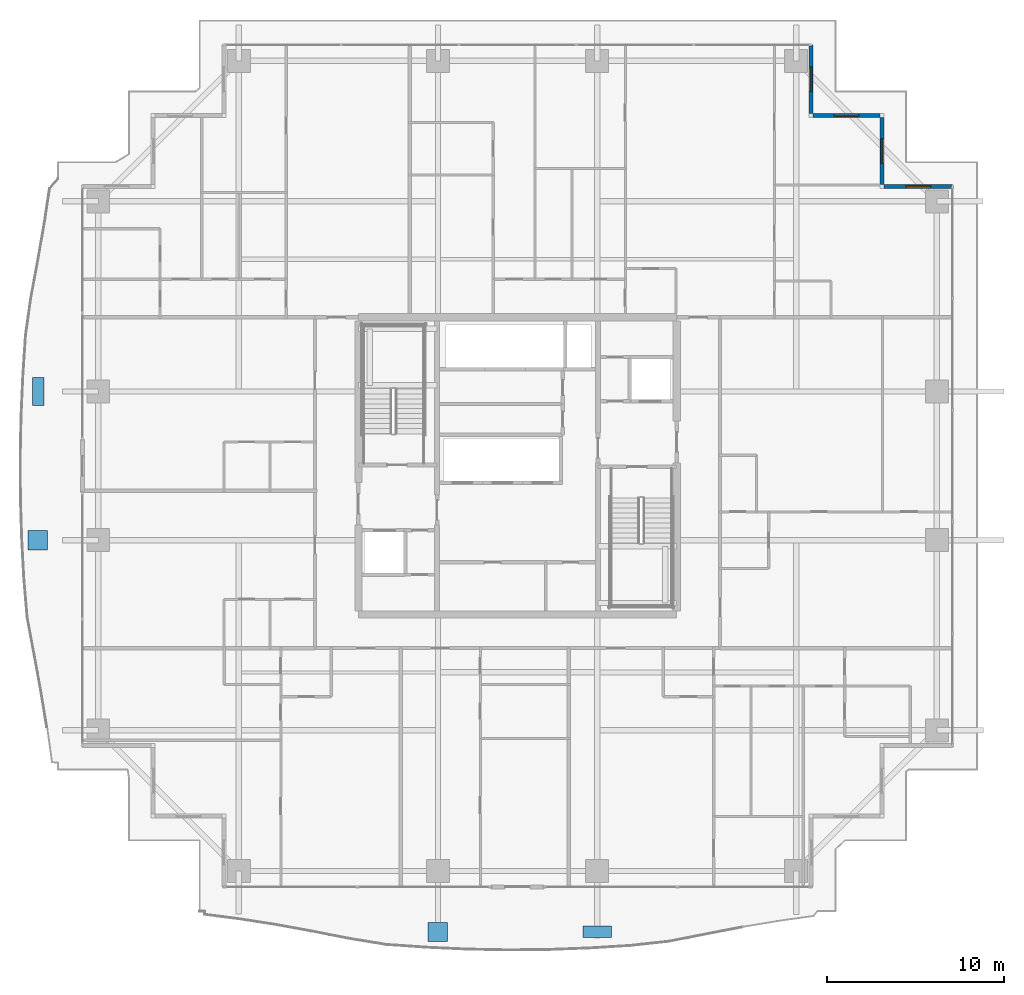
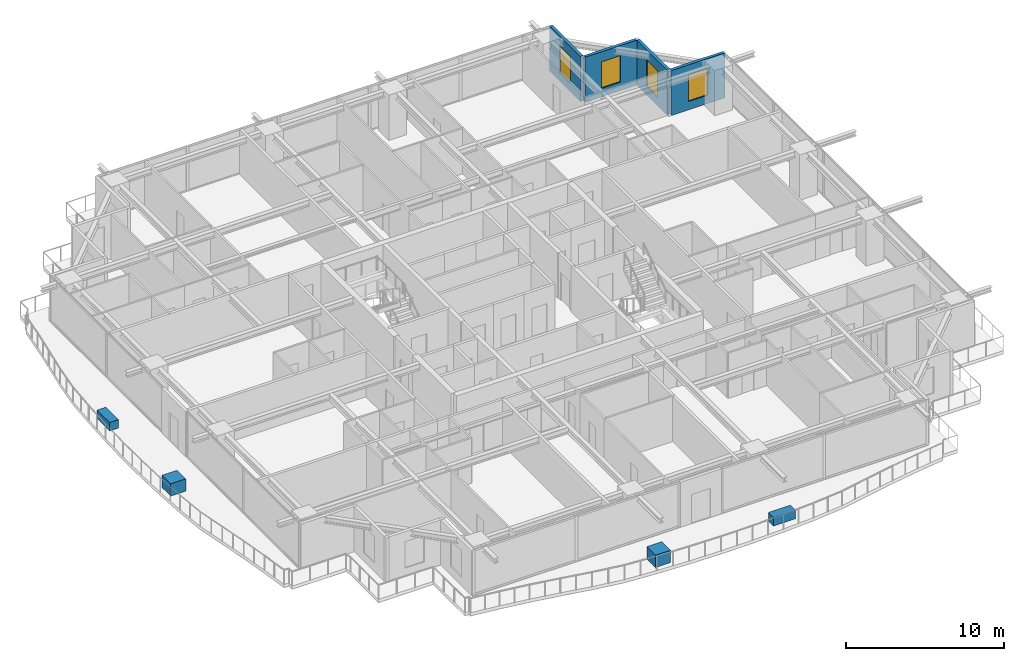
# One storey, part 29 of 35: 4 discrete accessories, 4 walls, 4 windows, 4 openings.
"""IFC4 building model written with IfcOpenShell, lengths in metres."""

from ifc_helpers import new_model, si_unit, direction, frame, frame_2d, origin, origin_2d, place, context, subcontext, project, spatial, rectangle, extrude, source, transform, mapped, material, layer, layer_set, type_object, element, fill, save


model = new_model("IFC4")

# Units and contexts
model_context = context("Model", 3, precision=1e-05, world=origin(), true_north=direction((0.0, 1.0)))
body_context = subcontext(model_context, "Body", "Model", "MODEL_VIEW")
ifc_project = project(units=[si_unit("LENGTHUNIT", "METRE"), si_unit("AREAUNIT", "SQUARE_METRE"), si_unit("VOLUMEUNIT", "CUBIC_METRE"), si_unit("PLANEANGLEUNIT", "RADIAN"), si_unit("MASSUNIT", "GRAM", prefix="KILO")], contexts=[model_context])

# Site, building, storey
site_placement = place(None, origin())
site = spatial("IfcSite", under=ifc_project, at=site_placement, CompositionType="ELEMENT")
building_placement = place(site_placement, origin())
building = spatial("IfcBuilding", under=site, at=building_placement, Name="Serunith Strait Residences", CompositionType="ELEMENT")
storey_placement = place(building_placement, frame((0.0, 0.0, 172.64990234375)))
storey = spatial("IfcBuildingStorey", under=building, at=storey_placement, Name="L43", CompositionType="ELEMENT", Elevation=172.64990234375)

# Wall, opening, window
ifc_material_1 = material(Name="Pale-Champagne Aluminium Insulated Panel", Category="aluminium")
ifc_layer = layer(ifc_material_1, 0.219970703125, Name="Pale-Champagne Aluminium Insulated Panel")
ifc_layer_set = layer_set([ifc_layer], Name="Pale-Champagne Aluminium Insulated Panel")
wall_type = type_object("IfcWallType", Name="EW-ALUM-220", PredefinedType="ELEMENTEDWALL", material=ifc_layer_set)
wall_1_placement = place(storey_placement, frame((57.0, 41.0, 0.0), z_axis=(0.0, 0.0, 1.0), x_axis=(-1.0, 0.0, 0.0)))
wall_1 = element("IfcWall", 1, at=wall_1_placement, inside=storey, type_object=wall_type, Name="L43 Girih Serrated Corner Wall 07", PredefinedType="ELEMENTEDWALL", context=body_context, shape_type="SweptSolid", body=[
    extrude(rectangle(XDim=3.889892578125, YDim=0.219970703125, at=frame_2d((1.94482421875, 0.0))), origin(), (0.0, 0.0, 1.0), 3.47509765625),
])
opening_1_placement = place(wall_1_placement, frame((1.2451171875, 0.0, 0.64990234375)))
opening_1 = element("IfcOpeningElement", 2, at=opening_1_placement, cuts=wall_1, Name="Opening W-03", PredefinedType="OPENING", context=body_context, shape_type="SweptSolid", body=[
    extrude(rectangle(XDim=1.39990234375, YDim=2.050048828125, at=frame_2d((0.699951171875, 1.02490234375))), frame((0.0, 0.1201171875, 0.0), z_axis=(0.0, -1.0, 0.0), x_axis=(1.0, 0.0, 0.0)), (0.0, 0.0, 1.0), 0.239990234375),
])
ifc_material_2 = material(Name="Ceramic-Fritted Operable Aluminium Window Glass", Category="aluminium")
window_type = type_object("IfcWindowType", Name="WIN-C3", PartitioningType="SINGLE_PANEL", PredefinedType="WINDOW", material=ifc_material_2)
shared_shape_1 = source(origin(), body_context, "Body", "SweptSolid", [
    extrude(rectangle(XDim=1.39990234375, YDim=2.050048828125, at=frame_2d((0.699951171875, 1.02490234375))), frame((0.0, 0.030029296875, 0.0), z_axis=(0.0, -1.0, 0.0), x_axis=(1.0, 0.0, 0.0)), (0.0, 0.0, 1.0), 0.06005859375),
])
window_1_placement = place(opening_1_placement, origin())
window_1 = element("IfcWindow", 3, at=window_1_placement, inside=storey, type_object=window_type, Name="L43 Corner Operable Fritted Window 07", OverallHeight=2.050048828125, OverallWidth=1.39990234375, PartitioningType="SINGLE_PANEL", PredefinedType="WINDOW", context=body_context, shape_type="MappedRepresentation", body=[
    mapped(shared_shape_1, transform((0.0, 0.0, 0.0), scale=1.0)),
])
fill(opening_1, window_1)

wall_2_placement = place(storey_placement, frame((53.0, 41.110107421875, 0.0), z_axis=(0.0, 0.0, 1.0), x_axis=(0.0, 1.0, 0.0)))
wall_2 = element("IfcWall", 4, at=wall_2_placement, inside=storey, type_object=wall_type, Name="L43 Girih Serrated Corner Wall 08", PredefinedType="ELEMENTEDWALL", context=body_context, shape_type="SweptSolid", body=[
    extrude(rectangle(XDim=3.77978515625, YDim=0.219970703125, at=frame_2d((1.889892578125, 0.0))), origin(), (0.0, 0.0, 1.0), 3.47509765625),
])
opening_2_placement = place(wall_2_placement, frame((1.18994140625, 0.0, 0.64990234375)))
opening_2 = element("IfcOpeningElement", 5, at=opening_2_placement, cuts=wall_2, Name="Opening W-03", PredefinedType="OPENING", context=body_context, shape_type="SweptSolid", body=[
    extrude(rectangle(XDim=1.39990234375, YDim=2.050048828125, at=frame_2d((0.699951171875, 1.02490234375))), frame((0.0, 0.1201171875, 0.0), z_axis=(0.0, -1.0, 0.0), x_axis=(1.0, 0.0, 0.0)), (0.0, 0.0, 1.0), 0.239990234375),
])
window_2_placement = place(opening_2_placement, origin())
window_2 = element("IfcWindow", 6, at=window_2_placement, inside=storey, type_object=window_type, Name="L43 Corner Operable Fritted Window 08", OverallHeight=2.050048828125, OverallWidth=1.39990234375, PartitioningType="SINGLE_PANEL", PredefinedType="WINDOW", context=body_context, shape_type="MappedRepresentation", body=[
    mapped(shared_shape_1, transform((0.0, 0.0, 0.0), scale=1.0)),
])
fill(opening_2, window_2)

wall_3_placement = place(storey_placement, frame((52.889892578125, 45.0, 0.0), z_axis=(0.0, 0.0, 1.0), x_axis=(-1.0, 0.0, 0.0)))
wall_3 = element("IfcWall", 7, at=wall_3_placement, inside=storey, type_object=wall_type, Name="L43 Girih Serrated Corner Wall 09", PredefinedType="ELEMENTEDWALL", context=body_context, shape_type="SweptSolid", body=[
    extrude(rectangle(XDim=3.77978515625, YDim=0.219970703125, at=frame_2d((1.889892578125, 0.0))), origin(), (0.0, 0.0, 1.0), 3.47509765625),
])
opening_3_placement = place(wall_3_placement, frame((1.18994140625, 0.0, 0.64990234375)))
opening_3 = element("IfcOpeningElement", 8, at=opening_3_placement, cuts=wall_3, Name="Opening W-03", PredefinedType="OPENING", context=body_context, shape_type="SweptSolid", body=[
    extrude(rectangle(XDim=1.39990234375, YDim=2.050048828125, at=frame_2d((0.699951171875, 1.02490234375))), frame((0.0, 0.1201171875, 0.0), z_axis=(0.0, -1.0, 0.0), x_axis=(1.0, 0.0, 0.0)), (0.0, 0.0, 1.0), 0.239990234375),
])
window_3_placement = place(opening_3_placement, origin())
window_3 = element("IfcWindow", 9, at=window_3_placement, inside=storey, type_object=window_type, Name="L43 Corner Operable Fritted Window 09", OverallHeight=2.050048828125, OverallWidth=1.39990234375, PartitioningType="SINGLE_PANEL", PredefinedType="WINDOW", context=body_context, shape_type="MappedRepresentation", body=[
    mapped(shared_shape_1, transform((0.0, 0.0, 0.0), scale=1.0)),
])
fill(opening_3, window_3)

wall_4_placement = place(storey_placement, frame((49.0, 45.110107421875, 0.0), z_axis=(0.0, 0.0, 1.0), x_axis=(0.0, 1.0, 0.0)))
wall_4 = element("IfcWall", 10, at=wall_4_placement, inside=storey, type_object=wall_type, Name="L43 Girih Serrated Corner Wall 10", PredefinedType="ELEMENTEDWALL", context=body_context, shape_type="SweptSolid", body=[
    extrude(rectangle(XDim=3.889892578125, YDim=0.219970703125, at=frame_2d((1.94482421875, 0.0))), origin(), (0.0, 0.0, 1.0), 3.47509765625),
])
opening_4_placement = place(wall_4_placement, frame((1.2451171875, 0.0, 0.64990234375)))
opening_4 = element("IfcOpeningElement", 11, at=opening_4_placement, cuts=wall_4, Name="Opening W-03", PredefinedType="OPENING", context=body_context, shape_type="SweptSolid", body=[
    extrude(rectangle(XDim=1.39990234375, YDim=2.050048828125, at=frame_2d((0.699951171875, 1.02490234375))), frame((0.0, 0.1201171875, 0.0), z_axis=(0.0, -1.0, 0.0), x_axis=(1.0, 0.0, 0.0)), (0.0, 0.0, 1.0), 0.239990234375),
])
window_4_placement = place(opening_4_placement, origin())
window_4 = element("IfcWindow", 12, at=window_4_placement, inside=storey, type_object=window_type, Name="L43 Corner Operable Fritted Window 10", OverallHeight=2.050048828125, OverallWidth=1.39990234375, PartitioningType="SINGLE_PANEL", PredefinedType="WINDOW", context=body_context, shape_type="MappedRepresentation", body=[
    mapped(shared_shape_1, transform((0.0, 0.0, 0.0), scale=1.0)),
])
fill(opening_4, window_4)

# Discrete accessories
ifc_material_3 = material(Name="GFRC Root-Anchored Structural Planter")
discrete_accessory_type_1 = type_object("IfcDiscreteAccessoryType", Name="ACC-PLANTER-TREE", PredefinedType="USERDEFINED", material=ifc_material_3)
shared_shape_2 = source(origin(), body_context, "Body", "SweptSolid", [
    extrude(rectangle(XDim=1.10009765625, YDim=1.10009765625, at=origin_2d()), origin(), (0.0, 0.0, 1.0), 0.949951171875),
])
for number, where, z_axis, x_axis, name in (
    (13, (27.89990234375, -1.1494140625, -0.0498046875), (0.0, 0.0, 1.0), (1.0, 0.0, 0.0), "L43 Vertical-Forest Tree Planter 02"),
    (14, (5.2880859375, 21.0, -0.0498046875), (0.0, 0.0, 1.0), (0.0, -1.0, 0.0), "L43 Vertical-Forest Tree Planter 14"),
):
    element("IfcDiscreteAccessory", number, at=place(storey_placement, frame(where, z_axis=z_axis, x_axis=x_axis)), inside=storey, type_object=discrete_accessory_type_1, Name=name, ObjectType="PLANTER", PredefinedType="USERDEFINED", context=body_context, shape_type="MappedRepresentation", body=[
        mapped(shared_shape_2, transform((0.0, 0.0, 0.0), scale=1.0)),
    ])
ifc_material_4 = material(Name="GFRC Irrigated Shrub Trough Planter")
discrete_accessory_type_2 = type_object("IfcDiscreteAccessoryType", Name="ACC-PLANTER-SHRUB", PredefinedType="USERDEFINED", material=ifc_material_4)
shared_shape_3 = source(origin(), body_context, "Body", "SweptSolid", [
    extrude(rectangle(XDim=1.60009765625, YDim=0.64990234375, at=origin_2d()), origin(), (0.0, 0.0, 1.0), 0.64990234375),
])
for number, where, z_axis, x_axis, name in (
    (15, (36.89990234375, -1.134033203125, -0.0498046875), (0.0, 0.0, 1.0), (1.0, 0.0, 0.0), "L43 Vertical-Forest Shrub Planter 03"),
    (16, (5.308837890625, 29.39990234375, -0.0498046875), (0.0, 0.0, 1.0), (0.0, -1.0, 0.0), "L43 Vertical-Forest Shrub Planter 15"),
):
    element("IfcDiscreteAccessory", number, at=place(storey_placement, frame(where, z_axis=z_axis, x_axis=x_axis)), inside=storey, type_object=discrete_accessory_type_2, Name=name, ObjectType="PLANTER", PredefinedType="USERDEFINED", context=body_context, shape_type="MappedRepresentation", body=[
        mapped(shared_shape_3, transform((0.0, 0.0, 0.0), scale=1.0)),
    ])

save(model, "model.ifc")
